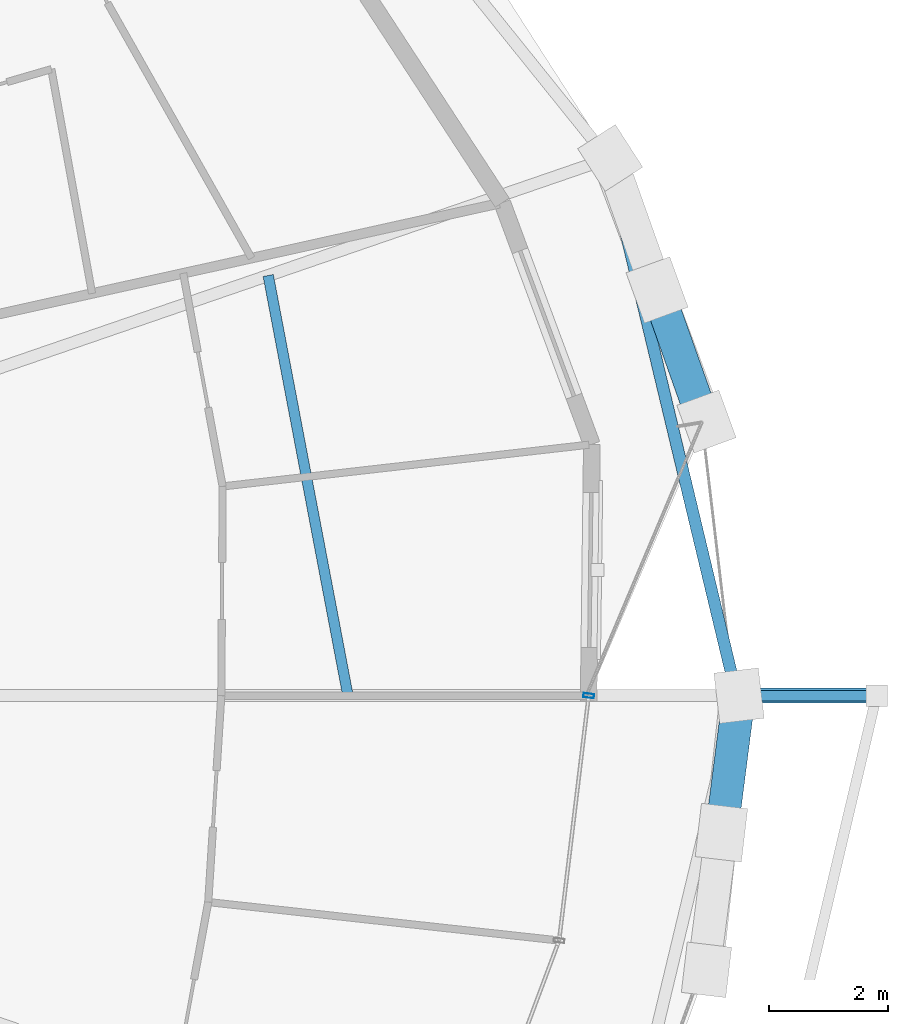
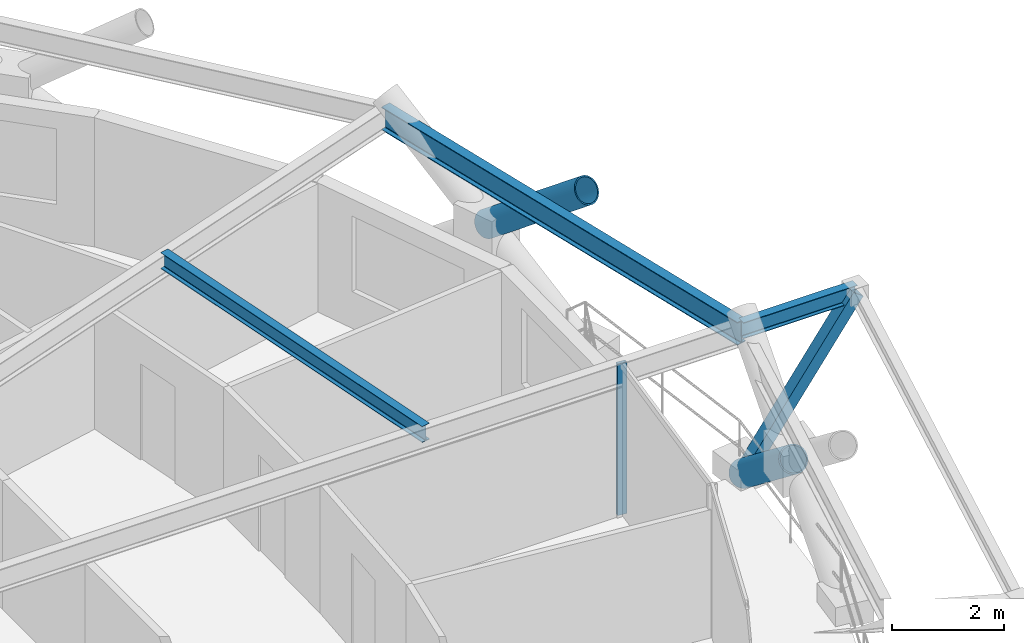
# One storey, part 12 of 22: 4 members, 3 beams, 1 element without a shape of its own.
"""IFC4 building model written with IfcOpenShell, lengths in metres."""

from ifc_helpers import new_model, si_unit, direction, frame, origin, origin_2d, place, context, subcontext, project, spatial, hollow_rectangle, hollow_circle, i_section, extrude, material, layer, layer_set, material_profile, profile_set, type_object, element, aggregate, save


model = new_model("IFC4")

# Units and contexts
model_context = context("Model", 3, precision=1e-05, world=origin(), true_north=direction((0.0, 1.0)))
body_context = subcontext(model_context, "Body", "Model", "MODEL_VIEW")
ifc_project = project(units=[si_unit("LENGTHUNIT", "METRE"), si_unit("AREAUNIT", "SQUARE_METRE"), si_unit("VOLUMEUNIT", "CUBIC_METRE"), si_unit("PLANEANGLEUNIT", "RADIAN"), si_unit("MASSUNIT", "GRAM", prefix="KILO")], contexts=[model_context])

# Site, building, storey
site_placement = place(None, origin())
site = spatial("IfcSite", under=ifc_project, at=site_placement, CompositionType="ELEMENT")
building_placement = place(site_placement, origin())
building = spatial("IfcBuilding", under=site, at=building_placement, Name="Veldorina Hangang Commons", CompositionType="ELEMENT")
storey_placement = place(building_placement, frame((0.0, 0.0, 146.0)))
storey = spatial("IfcBuildingStorey", under=building, at=storey_placement, Name="L37", CompositionType="ELEMENT", Elevation=146.0)

# Beams
ifc_material_1 = material(Name="Steel SM355-TMC", Category="steel")
ifc_material_profile_1 = material_profile(ifc_material_1, i_section(OverallWidth=0.175048828125, OverallDepth=0.35009765625, WebThickness=0.007080078125, FlangeThickness=0.010986328125, FilletRadius=0.012939453125, at=origin_2d()), Name="H-350x175x7x11")
ifc_profile_set_1 = profile_set([ifc_material_profile_1], Name="Steel SM355-TMC")
beam_type_1 = type_object("IfcBeamType", Name="BM-FG350", PredefinedType="BEAM", material=ifc_profile_set_1)
beam_1_placement = place(storey_placement, frame((60.32568359375, 24.0, 3.175048828125), z_axis=(1.0, 0.0, 0.0), x_axis=(0.0, 1.0, 0.0)))
element("IfcBeam", 1, at=beam_1_placement, inside=storey, type_object=beam_type_1, Name="L38 tree balcony 2 bracket beam B", PredefinedType="BEAM", context=body_context, shape_type="SweptSolid", body=[
    extrude(i_section(OverallWidth=0.175048828125, OverallDepth=0.35009765625, WebThickness=0.007080078125, FlangeThickness=0.010986328125, FilletRadius=0.012939453125, at=origin_2d()), origin(), (0.0, 0.0, 1.0), 2.35009765625),
])
ifc_material_profile_2 = material_profile(ifc_material_1, i_section(OverallWidth=0.175048828125, OverallDepth=0.35009765625, WebThickness=0.007080078125, FlangeThickness=0.010986328125, FilletRadius=0.012939453125, at=origin_2d()), Name="H-350x175x7x11")
ifc_profile_set_2 = profile_set([ifc_material_profile_2], Name="Steel SM355-TMC")
beam_type_2 = type_object("IfcBeamType", Name="BM-JST350", PredefinedType="JOIST", material=ifc_profile_set_2)
beam_2_placement = place(storey_placement, frame((53.814208984375, 24.0, 3.175048828125), z_axis=(-0.186475308108, 0.982459647755, 0.0), x_axis=(-0.982459647755, -0.186475308108, 0.0)))
element("IfcBeam", 2, at=beam_2_placement, inside=storey, type_object=beam_type_2, Name="L37 secondary floor joist 01", PredefinedType="JOIST", context=body_context, shape_type="SweptSolid", body=[
    extrude(i_section(OverallWidth=0.175048828125, OverallDepth=0.35009765625, WebThickness=0.007080078125, FlangeThickness=0.010986328125, FilletRadius=0.012939453125, at=origin_2d()), origin(), (0.0, 0.0, 1.0), 7.170654296875),
])
ifc_material_2 = material(Name="Steel SM420-TMC", Category="steel")
ifc_material_profile_3 = material_profile(ifc_material_2, i_section(OverallWidth=0.199951171875, OverallDepth=0.5, WebThickness=0.010009765625, FlangeThickness=0.01611328125, FilletRadius=0.01611328125, at=origin_2d()), Name="H-500x200x10x16")
ifc_profile_set_3 = profile_set([ifc_material_profile_3], Name="Steel SM420-TMC")
beam_type_3 = type_object("IfcBeamType", Name="BM-RB500", PredefinedType="BEAM", material=ifc_profile_set_3)
beam_3_placement = place(storey_placement, frame((60.33203125, 24.0, 3.10009765625), z_axis=(-0.232902276415, 0.972500143774, 0.0), x_axis=(-0.972500143774, -0.232902276415, 0.0)))
element("IfcBeam", 3, at=beam_3_placement, inside=storey, type_object=beam_type_3, Name="L37 perimeter hoop ring beam 00", PredefinedType="BEAM", context=body_context, shape_type="SweptSolid", body=[
    extrude(i_section(OverallWidth=0.199951171875, OverallDepth=0.5, WebThickness=0.010009765625, FlangeThickness=0.01611328125, FilletRadius=0.01611328125, at=origin_2d()), origin(), (0.0, 0.0, 1.0), 9.26025390625),
])

# Curtain wall, member
ifc_material_3 = material(Name="Glass Low-E Triple IGU", Category="glass")
ifc_layer = layer(ifc_material_3, 0.179931640625)
ifc_layer_set = layer_set([ifc_layer], Name="Glass Low-E Triple IGU")
curtain_wall_type = type_object("IfcCurtainWallType", Name="CW-SYS-Z2", PredefinedType="NOTDEFINED", material=ifc_layer_set)
curtain_wall_placement = place(storey_placement, origin())
curtain_wall = element("IfcCurtainWall", 4, at=curtain_wall_placement, inside=storey, type_object=curtain_wall_type, Name="L37 unitised curtain wall CW-L37-R2", PredefinedType="NOTDEFINED")
ifc_material_4 = material(Name="Aluminium Anodized AA6063-T6", Category="aluminium")
ifc_material_profile_4 = material_profile(ifc_material_4, hollow_rectangle(XDim=0.070068359375, YDim=0.179931640625, WallThickness=0.00390625, at=origin_2d()), Name="ALU-RHS-180x70x4")
ifc_profile_set_4 = profile_set([ifc_material_profile_4], Name="Aluminium Anodized AA6063-T6")
member_type_1 = type_object("IfcMemberType", Name="CW-MUL-180", PredefinedType="MULLION", material=ifc_profile_set_4)
member_1_placement = place(storey_placement, frame((57.8505859375, 24.0, 0.0), z_axis=(0.0, 0.0, 1.0), x_axis=(-0.120136838835, -0.992757341929, 0.0)))
member_1 = element("IfcMember", 5, at=member_1_placement, type_object=member_type_1, Name="CW-L37-R2 vertical mullion 6", PredefinedType="MULLION", context=body_context, shape_type="SweptSolid", body=[
    extrude(hollow_rectangle(XDim=0.070068359375, YDim=0.179931640625, WallThickness=0.00390625, at=origin_2d()), origin(), (0.0, 0.0, 1.0), 3.31005859375),
])
aggregate(curtain_wall, [member_1])

# Members
ifc_material_profile_5 = material_profile(ifc_material_2, hollow_circle(Radius=0.27490234375, WallThickness=0.028076171875, at=origin_2d()), Name="CHS-550x28")
ifc_profile_set_5 = profile_set([ifc_material_profile_5], Name="Steel SM420-TMC")
member_type_2 = type_object("IfcMemberType", Name="DG-CHS550", PredefinedType="BRACE", material=ifc_profile_set_5)
member_2_placement = place(storey_placement, frame((58.996826171875, 30.801513671875, 1.80126953125), z_axis=(0.265389199854, -0.747945044267, 0.608396896242), x_axis=(0.942431976407, 0.334397921414, 0.0)))
element("IfcMember", 6, at=member_2_placement, inside=storey, type_object=member_type_2, Name="L37 split perimeter diagrid upper brace 02", PredefinedType="BRACE", context=body_context, shape_type="SweptSolid", body=[
    extrude(hollow_circle(Radius=0.27490234375, WallThickness=0.028076171875, at=origin_2d()), origin(), (0.0, 0.0, 1.0), 2.956787109375),
])
member_3_placement = place(storey_placement, frame((60.37060546875, 24.0, 0.0), z_axis=(-0.100532086686, -0.782868658487, 0.614011370502), x_axis=(0.991855386339, -0.127369119453, 0.0)))
element("IfcMember", 7, at=member_3_placement, inside=storey, type_object=member_type_2, Name="L37 split perimeter diagrid lower brace 00", PredefinedType="BRACE", context=body_context, shape_type="SweptSolid", body=[
    extrude(hollow_circle(Radius=0.27490234375, WallThickness=0.028076171875, at=origin_2d()), origin(), (0.0, 0.0, 1.0), 2.93359375),
])
ifc_material_profile_6 = material_profile(ifc_material_1, hollow_rectangle(XDim=0.25, YDim=0.25, WallThickness=0.011962890625, at=origin_2d()), Name="SHS-250x250x12")
ifc_profile_set_6 = profile_set([ifc_material_profile_6], Name="Steel SM355-TMC")
member_type_3 = type_object("IfcMemberType", Name="STR-SHS250", PredefinedType="STRUT", material=ifc_profile_set_6)
member_4_placement = place(storey_placement, frame((60.37060546875, 24.0, 0.0), z_axis=(0.587512944103, 0.0, 0.809214767853), x_axis=(0.0, 1.0, 0.0)))
element("IfcMember", 8, at=member_4_placement, inside=storey, type_object=member_type_3, Name="L38 tree balcony 2 raking knee strut B", PredefinedType="STRUT", context=body_context, shape_type="SweptSolid", body=[
    extrude(hollow_rectangle(XDim=0.25, YDim=0.25, WallThickness=0.011962890625, at=origin_2d()), origin(), (0.0, 0.0, 1.0), 3.923583984375),
])

save(model, "model.ifc")
